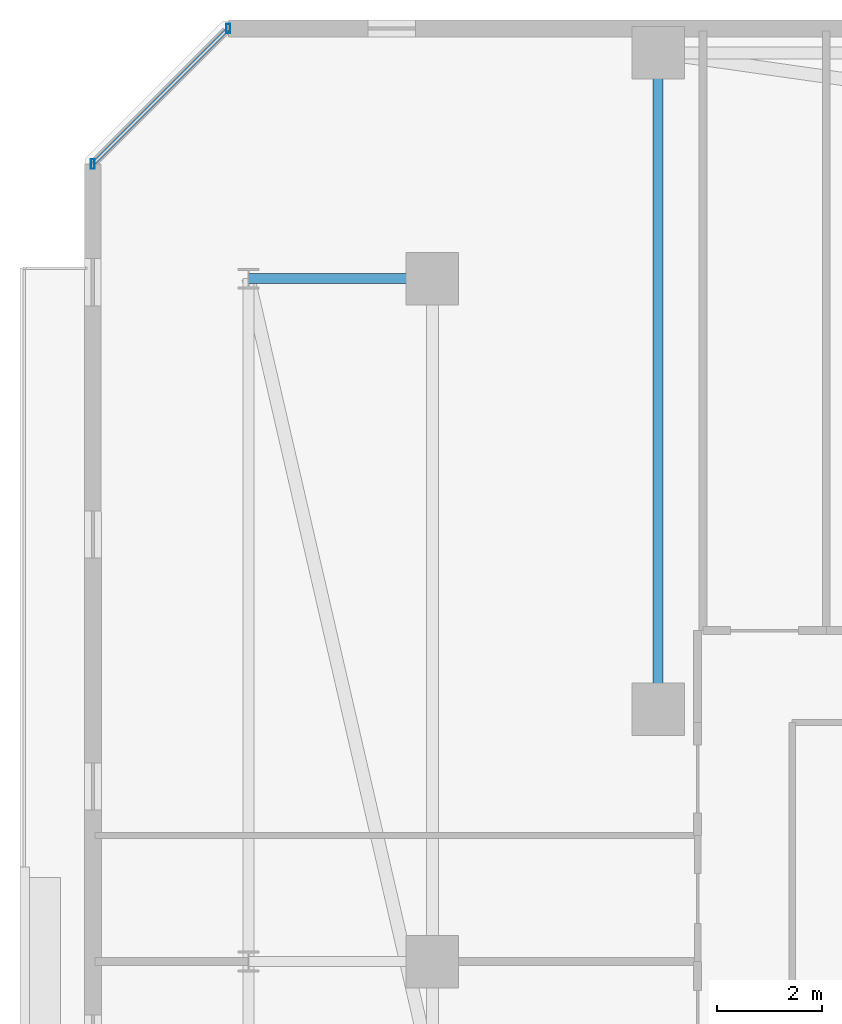
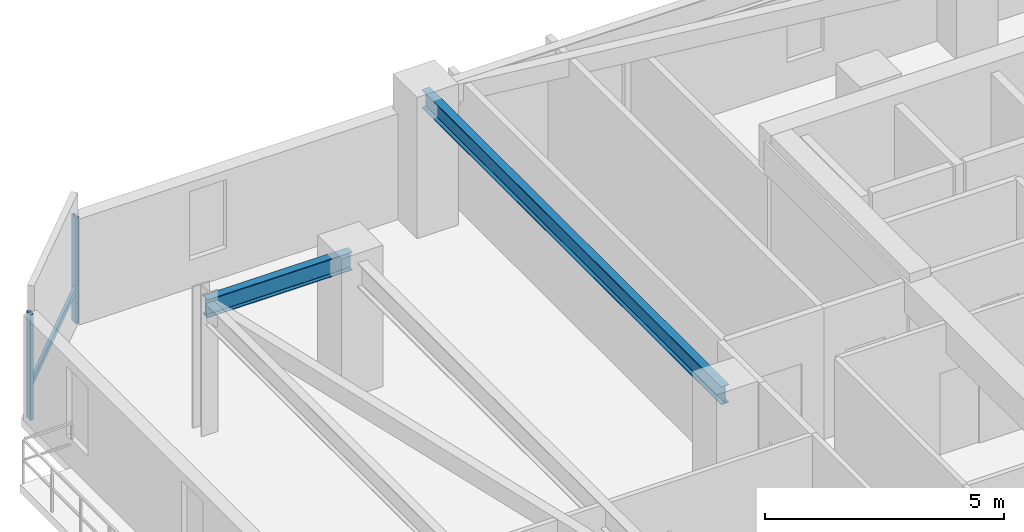
# One storey, part 7 of 32: 3 members, 2 beams, 1 element without a shape of its own.
"""IFC4 building model written with IfcOpenShell, lengths in metres."""

from ifc_helpers import new_model, si_unit, direction, frame, origin, origin_2d, place, context, subcontext, project, spatial, hollow_rectangle, i_section, extrude, material, material_profile, profile_set, type_object, element, aggregate, save


model = new_model("IFC4")

# Units and contexts
model_context = context("Model", 3, precision=1e-05, world=origin(), true_north=direction((0.0, 1.0)))
body_context = subcontext(model_context, "Body", "Model", "MODEL_VIEW")
ifc_project = project(units=[si_unit("LENGTHUNIT", "METRE"), si_unit("AREAUNIT", "SQUARE_METRE"), si_unit("VOLUMEUNIT", "CUBIC_METRE"), si_unit("PLANEANGLEUNIT", "RADIAN"), si_unit("MASSUNIT", "GRAM", prefix="KILO")], contexts=[model_context])

# Site, building, storey
site_placement = place(None, origin())
site = spatial("IfcSite", under=ifc_project, at=site_placement, CompositionType="ELEMENT")
building_placement = place(site_placement, origin())
building = spatial("IfcBuilding", under=site, at=building_placement, Name="Thornwick Lancets Civic Towers", CompositionType="ELEMENT")
storey_placement = place(building_placement, frame((0.0, 0.0, 247.5)))
storey = spatial("IfcBuildingStorey", under=building, at=storey_placement, Name="L66", CompositionType="ELEMENT", Elevation=247.5)

# Beams
ifc_material_1 = material(Name="Steel S355JR", Category="steel")
ifc_material_profile_1 = material_profile(ifc_material_1, i_section(OverallWidth=0.19189453125, OverallDepth=0.46337890625, WebThickness=0.010498046875, FlangeThickness=0.017578125, FilletRadius=0.01025390625, at=origin_2d()), Name="UKB 457x191x89")
ifc_profile_set_1 = profile_set([ifc_material_profile_1], Name="Steel S355JR")
beam_type = type_object("IfcBeamType", Name="BM_JOIST_457_89", PredefinedType="JOIST", material=ifc_profile_set_1)
beam_1_placement = place(storey_placement, frame((12.5, 31.800048828125, 3.12841796875), z_axis=(0.0, 1.0, 0.0), x_axis=(-1.0, 0.0, 0.0)))
element("IfcBeam", 1, at=beam_1_placement, inside=storey, type_object=beam_type, Name="BM-RADIN-L66-A07", PredefinedType="JOIST", context=body_context, shape_type="SweptSolid", body=[
    extrude(i_section(OverallWidth=0.19189453125, OverallDepth=0.46337890625, WebThickness=0.010498046875, FlangeThickness=0.017578125, FilletRadius=0.01025390625, at=origin_2d()), origin(), (0.0, 0.0, 1.0), 12.5),
])
beam_2_placement = place(storey_placement, frame((8.199951171875, 40.0, 3.12841796875), z_axis=(-1.0, 0.0, 0.0), x_axis=(0.0, -1.0, 0.0)))
element("IfcBeam", 2, at=beam_2_placement, inside=storey, type_object=beam_type, Name="BM-RAD-L66-A12", PredefinedType="JOIST", context=body_context, shape_type="SweptSolid", body=[
    extrude(i_section(OverallWidth=0.19189453125, OverallDepth=0.46337890625, WebThickness=0.010498046875, FlangeThickness=0.017578125, FilletRadius=0.01025390625, at=origin_2d()), origin(), (0.0, 0.0, 1.0), 3.5),
])

# Curtain wall, members
ifc_material_2 = material(Name="High-zone chamfered-corner unitised glass curtain wall", Category="glass")
curtain_wall_type = type_object("IfcCurtainWallType", Name="CW_SYS_05", PredefinedType="NOTDEFINED", material=ifc_material_2)
curtain_wall_placement = place(storey_placement, origin())
curtain_wall = element("IfcCurtainWall", 3, at=curtain_wall_placement, inside=storey, type_object=curtain_wall_type, Name="L66 Curtain Wall CW-L66-A-E5", PredefinedType="NOTDEFINED")
ifc_material_3 = material(Name="Thermally broken bronze aluminium S355", Category="steel")
ifc_material_profile_2 = material_profile(ifc_material_3, hollow_rectangle(XDim=0.074951171875, YDim=0.179931640625, WallThickness=0.006103515625, at=origin_2d()), Name="RHS 180x75x6")
ifc_profile_set_2 = profile_set([ifc_material_profile_2], Name="Thermally broken bronze aluminium S355")
member_type_1 = type_object("IfcMemberType", Name="CW_MUL_180", PredefinedType="MULLION", material=ifc_profile_set_2)
member_1_placement = place(storey_placement, frame((4.318603515625, 44.7646484375, 0.0), z_axis=(0.0, 0.0, 1.0), x_axis=(1.0, 0.0, 0.0)))
member_1 = element("IfcMember", 4, at=member_1_placement, type_object=member_type_1, Name="CW-L66-A-E5 Mullion 0", PredefinedType="MULLION", context=body_context, shape_type="SweptSolid", body=[
    extrude(hollow_rectangle(XDim=0.074951171875, YDim=0.179931640625, WallThickness=0.006103515625, at=origin_2d()), origin(), (0.0, 0.0, 1.0), 2.699951171875),
])
member_2_placement = place(storey_placement, frame((1.7353515625, 42.181396484375, 0.0), z_axis=(0.0, 0.0, 1.0), x_axis=(1.0, 0.0, 0.0)))
member_2 = element("IfcMember", 5, at=member_2_placement, type_object=member_type_1, Name="CW-L66-A-E5 Mullion 1", PredefinedType="MULLION", context=body_context, shape_type="SweptSolid", body=[
    extrude(hollow_rectangle(XDim=0.074951171875, YDim=0.179931640625, WallThickness=0.006103515625, at=origin_2d()), origin(), (0.0, 0.0, 1.0), 2.699951171875),
])
ifc_material_profile_3 = material_profile(ifc_material_3, hollow_rectangle(XDim=0.074951171875, YDim=0.14990234375, WallThickness=0.0048828125, at=origin_2d()), Name="RHS 150x75x5")
ifc_profile_set_3 = profile_set([ifc_material_profile_3], Name="Thermally broken bronze aluminium S355")
member_type_2 = type_object("IfcMemberType", Name="CW_TRN_150", PredefinedType="USERDEFINED", material=ifc_profile_set_3)
member_3_placement = place(storey_placement, frame((4.304443359375, 44.75048828125, 0.85009765625), z_axis=(-0.707106781187, -0.707106781187, 0.0), x_axis=(0.707106781187, -0.707106781187, 0.0)))
member_3 = element("IfcMember", 6, at=member_3_placement, type_object=member_type_2, Name="CW-L66-A-E5 Transom 0", ObjectType="TRANSOM", PredefinedType="USERDEFINED", context=body_context, shape_type="SweptSolid", body=[
    extrude(hollow_rectangle(XDim=0.074951171875, YDim=0.14990234375, WallThickness=0.0048828125, at=origin_2d()), origin(), (0.0, 0.0, 1.0), 3.61328125),
])
aggregate(curtain_wall, [member_1, member_2, member_3])

save(model, "model.ifc")
